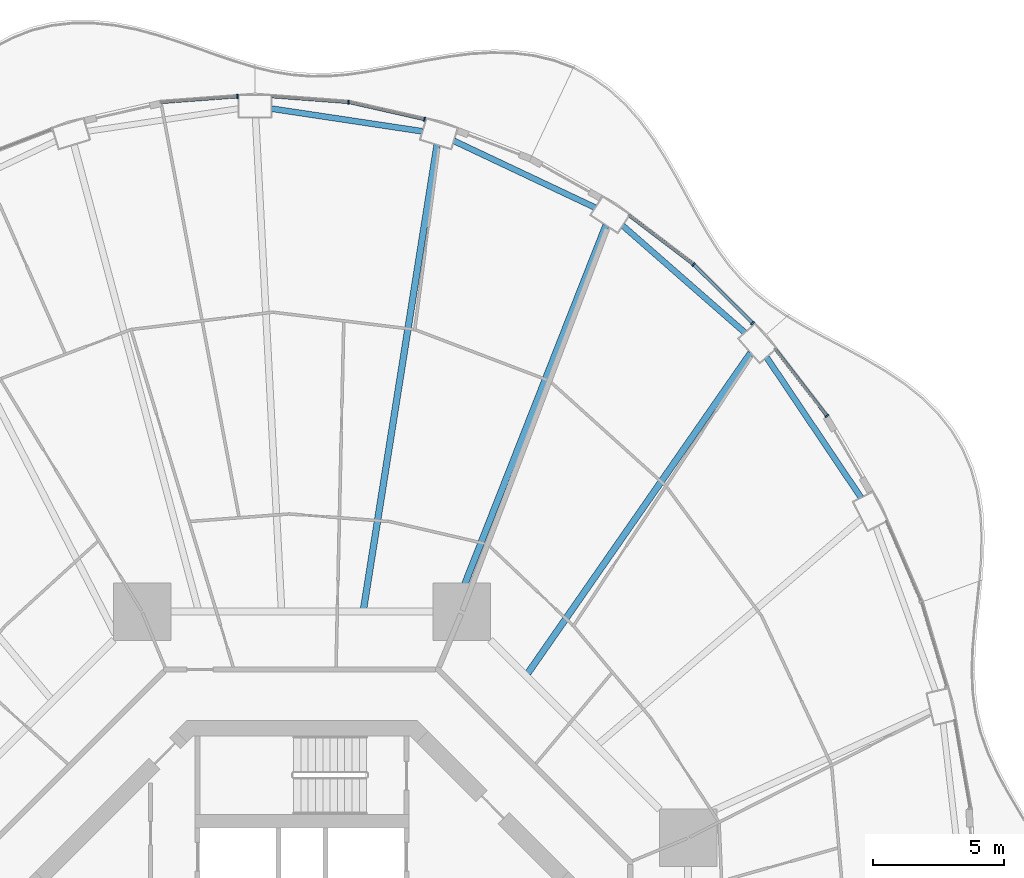
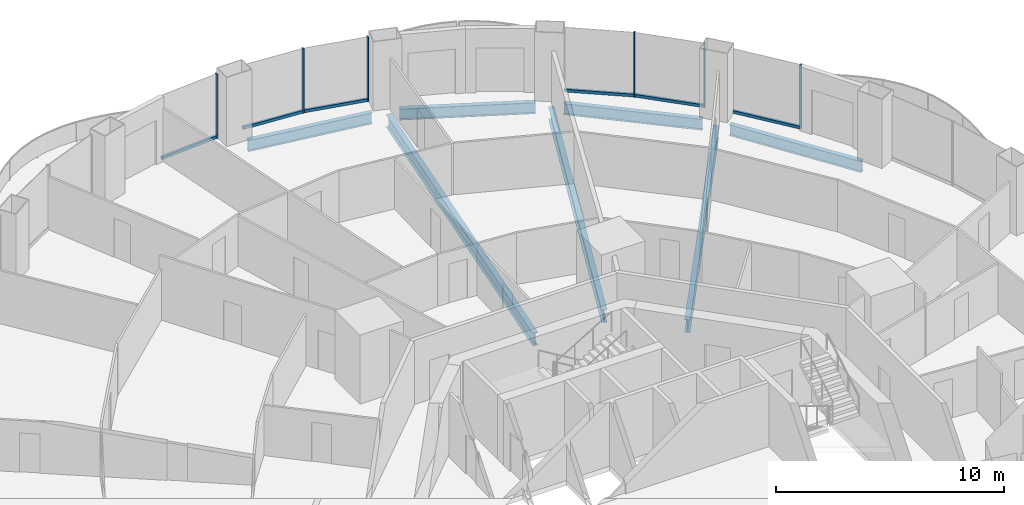
# One storey, part 11 of 22: 12 members, 7 beams, 6 elements without a shape of their own.
"""IFC4 building model written with IfcOpenShell, lengths in metres."""

from ifc_helpers import new_model, si_unit, direction, frame, origin, origin_2d, place, context, subcontext, project, spatial, rectangle, i_section, extrude, material, layer, layer_set, material_profile, profile_set, type_object, element, aggregate, save


model = new_model("IFC4")

# Units and contexts
model_context = context("Model", 3, precision=1e-05, world=origin(), true_north=direction((0.0, 1.0)))
body_context = subcontext(model_context, "Body", "Model", "MODEL_VIEW")
ifc_project = project(units=[si_unit("LENGTHUNIT", "METRE"), si_unit("AREAUNIT", "SQUARE_METRE"), si_unit("VOLUMEUNIT", "CUBIC_METRE"), si_unit("PLANEANGLEUNIT", "RADIAN"), si_unit("MASSUNIT", "GRAM", prefix="KILO")], contexts=[model_context])

# Site, building, storey
site_placement = place(None, origin())
site = spatial("IfcSite", under=ifc_project, at=site_placement, CompositionType="ELEMENT")
building_placement = place(site_placement, origin())
building = spatial("IfcBuilding", under=site, at=building_placement, Name="Nagisa Residences", CompositionType="ELEMENT")
storey_placement = place(building_placement, frame((0.0, 0.0, 88.10009765625)))
storey = spatial("IfcBuildingStorey", under=building, at=storey_placement, Name="L21", CompositionType="ELEMENT", Elevation=88.10009765625)

# Curtain wall, member
ifc_material_1 = material(Name="Concrete-coloured aluminium curtain wall system", Category="concrete")
ifc_layer = layer(ifc_material_1, 0.159912109375)
ifc_layer_set = layer_set([ifc_layer], Name="CW1 CURTAIN WALL")
curtain_wall_type = type_object("IfcCurtainWallType", Name="CW1 CURTAIN WALL", PredefinedType="NOTDEFINED", material=ifc_layer_set)
curtain_wall_1_placement = place(storey_placement, origin())
curtain_wall_1 = element("IfcCurtainWall", 1, at=curtain_wall_1_placement, inside=storey, type_object=curtain_wall_type, Name="cw:CW1:L21:05", PredefinedType="NOTDEFINED")
ifc_material_2 = material(Name="Concrete-coloured aluminium", Category="concrete")
ifc_material_profile_1 = material_profile(ifc_material_2, rectangle(XDim=0.159912109375, YDim=0.06005859375, at=origin_2d()), Name="CW1 MULLION 160x60")
ifc_profile_set_1 = profile_set([ifc_material_profile_1], Name="Concrete-coloured aluminium")
member_type_1 = type_object("IfcMemberType", Name="CW1 MULLION 160x60", PredefinedType="MULLION", material=ifc_profile_set_1)
member_1_placement = place(storey_placement, frame((20.09033203125, 22.27783203125, 0.0), z_axis=(0.0, 0.0, 1.0), x_axis=(-0.792070340816, -0.610429828235, 0.0)))
member_1 = element("IfcMember", 2, at=member_1_placement, type_object=member_type_1, Name="CW1 mullion", PredefinedType="MULLION", context=body_context, shape_type="SweptSolid", body=[
    extrude(rectangle(XDim=0.159912109375, YDim=0.06005859375, at=origin_2d()), origin(), (0.0, 0.0, 1.0), 3.43994140625),
])

curtain_wall_2_placement = place(storey_placement, origin())
curtain_wall_2 = element("IfcCurtainWall", 3, at=curtain_wall_2_placement, inside=storey, type_object=curtain_wall_type, Name="cw:CW1:L21:06", PredefinedType="NOTDEFINED")
member_2_placement = place(storey_placement, frame((17.24560546875, 25.825927734375, 0.0), z_axis=(0.0, 0.0, 1.0), x_axis=(-0.706376885714, -0.707835924016, 0.0)))
member_2 = element("IfcMember", 4, at=member_2_placement, type_object=member_type_1, Name="CW1 mullion", PredefinedType="MULLION", context=body_context, shape_type="SweptSolid", body=[
    extrude(rectangle(XDim=0.159912109375, YDim=0.06005859375, at=origin_2d()), origin(), (0.0, 0.0, 1.0), 3.43994140625),
])

curtain_wall_3_placement = place(storey_placement, origin())
curtain_wall_3 = element("IfcCurtainWall", 5, at=curtain_wall_3_placement, inside=storey, type_object=curtain_wall_type, Name="cw:CW1:L21:07", PredefinedType="NOTDEFINED")
member_3_placement = place(storey_placement, frame((14.9873046875, 28.07470703125, 0.0), z_axis=(0.0, 0.0, 1.0), x_axis=(-0.605255421737, -0.79603132756, 0.0)))
member_3 = element("IfcMember", 6, at=member_3_placement, type_object=member_type_1, Name="CW1 mullion", PredefinedType="MULLION", context=body_context, shape_type="SweptSolid", body=[
    extrude(rectangle(XDim=0.159912109375, YDim=0.06005859375, at=origin_2d()), origin(), (0.0, 0.0, 1.0), 3.43994140625),
])

curtain_wall_4_placement = place(storey_placement, origin())
curtain_wall_4 = element("IfcCurtainWall", 7, at=curtain_wall_4_placement, inside=storey, type_object=curtain_wall_type, Name="cw:CW1:L21:10", PredefinedType="NOTDEFINED")
member_4_placement = place(storey_placement, frame((4.68701171875, 33.630859375, 0.0), z_axis=(0.0, 0.0, 1.0), x_axis=(-0.2207639201, -0.975327274089, 0.0)))
member_4 = element("IfcMember", 8, at=member_4_placement, type_object=member_type_1, Name="CW1 mullion", PredefinedType="MULLION", context=body_context, shape_type="SweptSolid", body=[
    extrude(rectangle(XDim=0.159912109375, YDim=0.06005859375, at=origin_2d()), origin(), (0.0, 0.0, 1.0), 3.43994140625),
])

curtain_wall_5_placement = place(storey_placement, origin())
curtain_wall_5 = element("IfcCurtainWall", 9, at=curtain_wall_5_placement, inside=storey, type_object=curtain_wall_type, Name="cw:CW1:L21:11", PredefinedType="NOTDEFINED")
member_5_placement = place(storey_placement, frame((1.779052734375, 34.28564453125, 0.0), z_axis=(0.0, 0.0, 1.0), x_axis=(-0.074377355493, -0.997230168512, 0.0)))
member_5 = element("IfcMember", 10, at=member_5_placement, type_object=member_type_1, Name="CW1 mullion", PredefinedType="MULLION", context=body_context, shape_type="SweptSolid", body=[
    extrude(rectangle(XDim=0.159912109375, YDim=0.06005859375, at=origin_2d()), origin(), (0.0, 0.0, 1.0), 3.43994140625),
])

curtain_wall_6_placement = place(storey_placement, origin())
curtain_wall_6 = element("IfcCurtainWall", 11, at=curtain_wall_6_placement, inside=storey, type_object=curtain_wall_type, Name="cw:CW1:L21:12", PredefinedType="NOTDEFINED")
member_6_placement = place(storey_placement, frame((-2.47216796875, 34.50244140625, 0.0), z_axis=(0.0, 0.0, 1.0), x_axis=(0.074377355493, -0.997230168512, 0.0)))
member_6 = element("IfcMember", 12, at=member_6_placement, type_object=member_type_1, Name="CW1 mullion", PredefinedType="MULLION", context=body_context, shape_type="SweptSolid", body=[
    extrude(rectangle(XDim=0.159912109375, YDim=0.06005859375, at=origin_2d()), origin(), (0.0, 0.0, 1.0), 3.43994140625),
])

# Member
ifc_material_3 = material(Name="Concrete-coloured aluminium", Category="concrete")
ifc_material_profile_2 = material_profile(ifc_material_3, rectangle(XDim=0.1201171875, YDim=0.14990234375, at=origin_2d()), Name="CW1 TRANSOM 120x150")
ifc_profile_set_2 = profile_set([ifc_material_profile_2], Name="Concrete-coloured aluminium")
member_type_2 = type_object("IfcMemberType", Name="CW1 TRANSOM 120x150", PredefinedType="USERDEFINED", material=ifc_profile_set_2)
member_7_placement = place(storey_placement, frame((20.108642578125, 22.25390625, 0.074951171875), z_axis=(-0.610458970322, 0.792047880847, 0.0), x_axis=(-0.792047880847, -0.610458970322, 0.0)))
member_7 = element("IfcMember", 13, at=member_7_placement, type_object=member_type_2, Name="CW1 transom", ObjectType="TRANSOM", PredefinedType="USERDEFINED", context=body_context, shape_type="SweptSolid", body=[
    extrude(rectangle(XDim=0.1201171875, YDim=0.14990234375, at=origin_2d()), origin(), (0.0, 0.0, 1.0), 3.262939453125),
])

aggregate(curtain_wall_1, [member_1, member_7])

member_8_placement = place(storey_placement, frame((17.2666015625, 25.8046875, 0.074951171875), z_axis=(-0.707831724839, 0.70638109354, 0.0), x_axis=(-0.70638109354, -0.707831724839, 0.0)))
member_8 = element("IfcMember", 14, at=member_8_placement, type_object=member_type_2, Name="CW1 transom", ObjectType="TRANSOM", PredefinedType="USERDEFINED", context=body_context, shape_type="SweptSolid", body=[
    extrude(rectangle(XDim=0.1201171875, YDim=0.14990234375, at=origin_2d()), origin(), (0.0, 0.0, 1.0), 3.19775390625),
])

aggregate(curtain_wall_2, [member_2, member_8])

member_9_placement = place(storey_placement, frame((15.01123046875, 28.056640625, 0.074951171875), z_axis=(-0.796037575978, 0.605247203736, 0.0), x_axis=(-0.605247203736, -0.796037575978, 0.0)))
member_9 = element("IfcMember", 15, at=member_9_placement, type_object=member_type_2, Name="CW1 transom", ObjectType="TRANSOM", PredefinedType="USERDEFINED", context=body_context, shape_type="SweptSolid", body=[
    extrude(rectangle(XDim=0.1201171875, YDim=0.14990234375, at=origin_2d()), origin(), (0.0, 0.0, 1.0), 3.1337890625),
])

aggregate(curtain_wall_3, [member_3, member_9])

member_10_placement = place(storey_placement, frame((4.71630859375, 33.624267578125, 0.074951171875), z_axis=(-0.975313630467, 0.220824188497, 0.0), x_axis=(-0.220824188497, -0.975313630467, 0.0)))
member_10 = element("IfcMember", 16, at=member_10_placement, type_object=member_type_2, Name="CW1 transom", ObjectType="TRANSOM", PredefinedType="USERDEFINED", context=body_context, shape_type="SweptSolid", body=[
    extrude(rectangle(XDim=0.1201171875, YDim=0.14990234375, at=origin_2d()), origin(), (0.0, 0.0, 1.0), 2.992919921875),
])

aggregate(curtain_wall_4, [member_4, member_10])

member_11_placement = place(storey_placement, frame((1.80908203125, 34.283203125, 0.074951171875), z_axis=(-0.997226174467, 0.074430887117, 0.0), x_axis=(-0.074430887117, -0.997226174467, 0.0)))
member_11 = element("IfcMember", 17, at=member_11_placement, type_object=member_type_2, Name="CW1 transom", ObjectType="TRANSOM", PredefinedType="USERDEFINED", context=body_context, shape_type="SweptSolid", body=[
    extrude(rectangle(XDim=0.1201171875, YDim=0.14990234375, at=origin_2d()), origin(), (0.0, 0.0, 1.0), 2.97509765625),
])

aggregate(curtain_wall_5, [member_5, member_11])

member_12_placement = place(storey_placement, frame((-2.442138671875, 34.504638671875, 0.074951171875), z_axis=(-0.997226174467, -0.074430887117, 0.0), x_axis=(0.074430887117, -0.997226174467, 0.0)))
member_12 = element("IfcMember", 18, at=member_12_placement, type_object=member_type_2, Name="CW1 transom", ObjectType="TRANSOM", PredefinedType="USERDEFINED", context=body_context, shape_type="SweptSolid", body=[
    extrude(rectangle(XDim=0.1201171875, YDim=0.14990234375, at=origin_2d()), origin(), (0.0, 0.0, 1.0), 2.97509765625),
])

aggregate(curtain_wall_6, [member_6, member_12])

# Beams
ifc_material_4 = material(Name="Steel ASTM A572 Gr 50", Category="steel")
ifc_material_profile_3 = material_profile(ifc_material_4, i_section(OverallWidth=0.22802734375, OverallDepth=0.60302734375, WebThickness=0.010498046875, FlangeThickness=0.014892578125, at=origin_2d()), Name="W610x101")
ifc_profile_set_3 = profile_set([ifc_material_profile_3], Name="Steel ASTM A572 Gr 50")
beam_type_1 = type_object("IfcBeamType", Name="Perimeter ring beam W610x101", PredefinedType="BEAM", material=ifc_profile_set_3)
beam_1_placement = place(storey_placement, frame((21.397216796875, 19.152099609375, -0.5615234375), z_axis=(-0.55824704812, 0.829674775599, 0.0), x_axis=(-0.829674775599, -0.55824704812, 0.0)))
element("IfcBeam", 19, at=beam_1_placement, inside=storey, type_object=beam_type_1, Name="beam:L21:pb03", PredefinedType="BEAM", context=body_context, shape_type="SweptSolid", body=[
    extrude(i_section(OverallWidth=0.22802734375, OverallDepth=0.60302734375, WebThickness=0.010498046875, FlangeThickness=0.014892578125, at=origin_2d()), origin(), (0.0, 0.0, 1.0), 6.4716796875),
])
beam_2_placement = place(storey_placement, frame((16.951416015625, 25.46728515625, -0.5615234375), z_axis=(-0.752525569707, 0.658563031863, 0.0), x_axis=(-0.658563031863, -0.752525569707, 0.0)))
element("IfcBeam", 20, at=beam_2_placement, inside=storey, type_object=beam_type_1, Name="beam:L21:pb04", PredefinedType="BEAM", context=body_context, shape_type="SweptSolid", body=[
    extrude(i_section(OverallWidth=0.22802734375, OverallDepth=0.60302734375, WebThickness=0.010498046875, FlangeThickness=0.014892578125, at=origin_2d()), origin(), (0.0, 0.0, 1.0), 6.21240234375),
])
beam_3_placement = place(storey_placement, frame((11.22216796875, 30.249267578125, -0.5615234375), z_axis=(-0.904196975776, 0.427115709144, 0.0), x_axis=(-0.427115709144, -0.904196975776, 0.0)))
element("IfcBeam", 21, at=beam_3_placement, inside=storey, type_object=beam_type_1, Name="beam:L21:pb05", PredefinedType="BEAM", context=body_context, shape_type="SweptSolid", body=[
    extrude(i_section(OverallWidth=0.22802734375, OverallDepth=0.60302734375, WebThickness=0.010498046875, FlangeThickness=0.014892578125, at=origin_2d()), origin(), (0.0, 0.0, 1.0), 5.980712890625),
])
beam_4_placement = place(storey_placement, frame((4.608642578125, 33.17041015625, -0.5615234375), z_axis=(-0.988913048607, 0.148495731568, 0.0), x_axis=(-0.148495731568, -0.988913048607, 0.0)))
element("IfcBeam", 22, at=beam_4_placement, inside=storey, type_object=beam_type_1, Name="beam:L21:pb06", PredefinedType="BEAM", context=body_context, shape_type="SweptSolid", body=[
    extrude(i_section(OverallWidth=0.22802734375, OverallDepth=0.60302734375, WebThickness=0.010498046875, FlangeThickness=0.014892578125, at=origin_2d()), origin(), (0.0, 0.0, 1.0), 5.843017578125),
])
ifc_material_5 = material(Name="Steel ASTM A572 Gr 50", Category="steel")
ifc_material_profile_4 = material_profile(ifc_material_5, i_section(OverallWidth=0.2529296875, OverallDepth=0.677978515625, WebThickness=0.01171875, FlangeThickness=0.016357421875, at=origin_2d()), Name="W690x125")
ifc_profile_set_4 = profile_set([ifc_material_profile_4], Name="Steel ASTM A572 Gr 50")
beam_type_2 = type_object("IfcBeamType", Name="Radial beam W690x125", PredefinedType="BEAM", material=ifc_profile_set_4)
beam_5_placement = place(storey_placement, frame((17.176513671875, 24.6845703125, -0.59912109375), z_axis=(-0.571167903467, -0.820833251062, 0.0), x_axis=(0.820833251062, -0.571167903467, 0.0)))
element("IfcBeam", 23, at=beam_5_placement, inside=storey, type_object=beam_type_2, Name="beam:L21:rb04", PredefinedType="BEAM", context=body_context, shape_type="SweptSolid", body=[
    extrude(i_section(OverallWidth=0.2529296875, OverallDepth=0.677978515625, WebThickness=0.01171875, FlangeThickness=0.016357421875, at=origin_2d()), origin(), (0.0, 0.0, 1.0), 14.93994140625),
])
beam_6_placement = place(storey_placement, frame((11.636474609375, 29.568359375, -0.59912109375), z_axis=(-0.366203217464, -0.930534901828, 0.0), x_axis=(0.930534901828, -0.366203217464, 0.0)))
element("IfcBeam", 24, at=beam_6_placement, inside=storey, type_object=beam_type_2, Name="beam:L21:rb05", PredefinedType="BEAM", context=body_context, shape_type="SweptSolid", body=[
    extrude(i_section(OverallWidth=0.2529296875, OverallDepth=0.677978515625, WebThickness=0.01171875, FlangeThickness=0.016357421875, at=origin_2d()), origin(), (0.0, 0.0, 1.0), 15.767578125),
])
beam_7_placement = place(storey_placement, frame((5.170654296875, 32.64697265625, -0.59912109375), z_axis=(-0.156426410961, -0.987689616202, 0.0), x_axis=(0.987689616202, -0.156426410961, 0.0)))
element("IfcBeam", 25, at=beam_7_placement, inside=storey, type_object=beam_type_2, Name="beam:L21:rb06", PredefinedType="BEAM", context=body_context, shape_type="SweptSolid", body=[
    extrude(i_section(OverallWidth=0.2529296875, OverallDepth=0.677978515625, WebThickness=0.01171875, FlangeThickness=0.016357421875, at=origin_2d()), origin(), (0.0, 0.0, 1.0), 17.973388671875),
])

save(model, "model.ifc")
